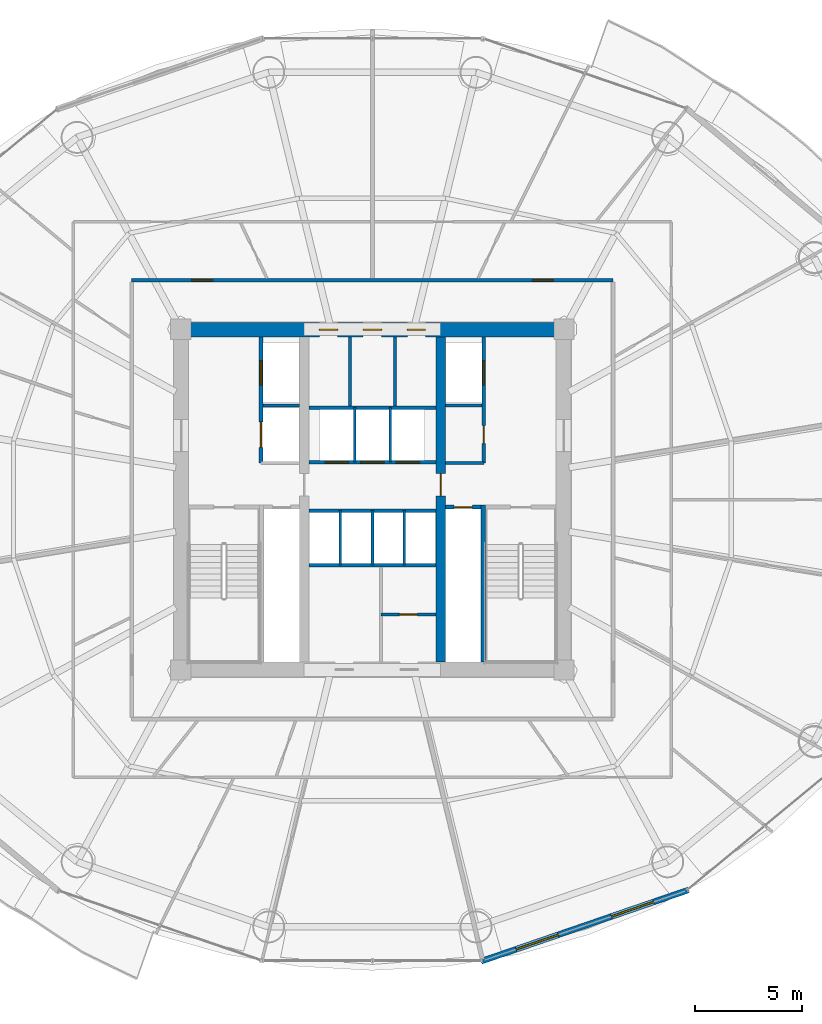
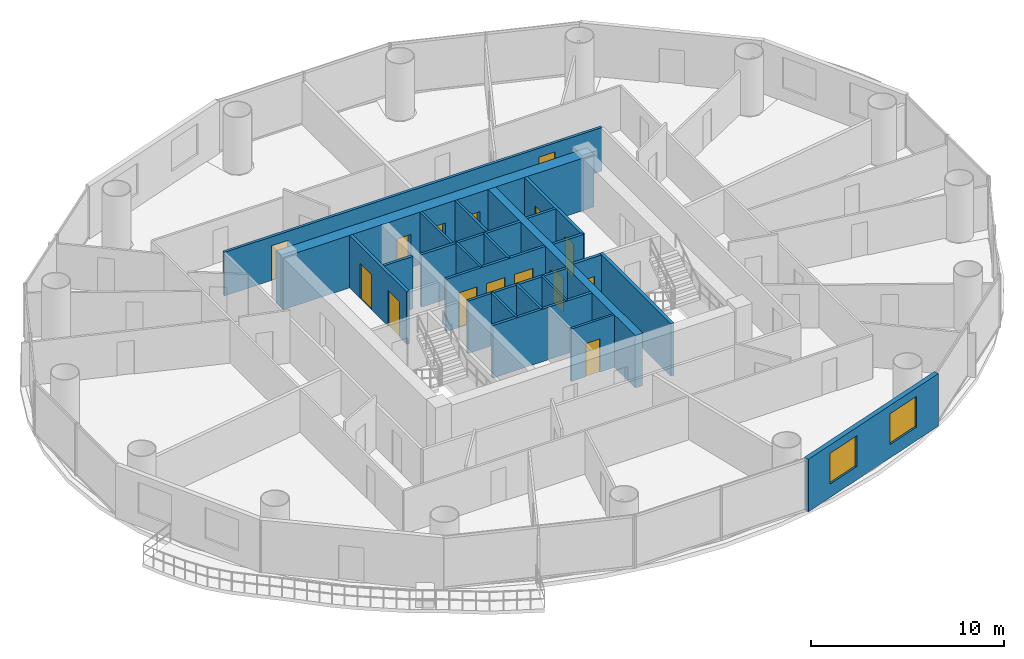
# One storey, part 23 of 29: 23 walls, 15 doors, 2 windows, 17 openings.
"""IFC4 building model written with IfcOpenShell, lengths in metres."""

import ifcopenshell
import ifcopenshell.guid

model = None  # the IFC model being written
_history = None  # IfcOwnerHistory: only IFC2X3 demands one
_inside = {}  # id of a spatial element -> (the spatial element, [elements in it])
_under = {}  # id of a project, library or spatial element -> (it, [spatial elements below it])
_declared = {}  # id of a project -> (the project, [libraries it declares])
_typed = {}  # id of a type object -> (the type object, [elements of that type])
_made_of = {}  # id of a material, layer set ... -> (it, [elements and type objects made of it])


def new_model(schema):
    """Start an empty IFC model of exactly this schema.

    Asked for "IFC4X3", IfcOpenShell would pick the latest addendum, in which some entities
    have other attributes; the version numbers below select the first issue.
    IFC2X3 requires an IfcOwnerHistory on every rooted entity: one is made here for all.
    """
    global model, _history
    if schema == "IFC4X3":
        model = ifcopenshell.file(schema_version=(4, 3, 0, 0))
    else:
        model = ifcopenshell.file(schema=schema)
    _inside.clear()
    _under.clear()
    _declared.clear()
    _typed.clear()
    _made_of.clear()
    _history = None
    if model.schema == "IFC2X3":
        org = make("IfcOrganization", Name="unknown")
        user = make(
            "IfcPersonAndOrganization",
            ThePerson=make("IfcPerson", FamilyName="unknown"),
            TheOrganization=org,
        )
        app = make(
            "IfcApplication",
            ApplicationDeveloper=org,
            Version="unknown",
            ApplicationFullName="unknown",
            ApplicationIdentifier="unknown",
        )
        _history = make(
            "IfcOwnerHistory",
            OwningUser=user,
            OwningApplication=app,
            ChangeAction="ADDED",
            CreationDate=0,
        )
    return model


def make(cls, **values):
    """One entity of the class cls with the attributes given. An attribute that is None is left unset."""
    return model.create_entity(
        cls, **{name: value for name, value in values.items() if value is not None}
    )


def rooted(cls, **values):
    """An entity with a GlobalId (a new one), such as an element, a storey or a relation."""
    return make(cls, GlobalId=ifcopenshell.guid.new(), OwnerHistory=_history, **values)


def si_unit(unit_type, name, prefix=None):
    """IfcSIUnit, for example si_unit("LENGTHUNIT", "METRE", prefix="MILLI")."""
    return make("IfcSIUnit", UnitType=unit_type, Prefix=prefix, Name=name)


def assignment(units):
    """IfcUnitAssignment: the units of a project."""
    return None if units is None else make("IfcUnitAssignment", Units=units)


def point(xyz):
    """IfcCartesianPoint."""
    return None if xyz is None else make("IfcCartesianPoint", Coordinates=xyz)


def direction(xyz):
    """IfcDirection."""
    return None if xyz is None else make("IfcDirection", DirectionRatios=xyz)


def frame(location, z_axis=None, x_axis=None):
    """IfcAxis2Placement3D, a coordinate frame: its origin and axes. An axis left out is left unset."""
    return make(
        "IfcAxis2Placement3D",
        Location=point(location),
        Axis=direction(z_axis),
        RefDirection=direction(x_axis),
    )


def frame_2d(location, x_axis=None):
    """IfcAxis2Placement2D, a coordinate frame in the plane: its origin and x axis."""
    return make(
        "IfcAxis2Placement2D", Location=point(location), RefDirection=direction(x_axis)
    )


def origin():
    """The frame at (0, 0, 0) with its axes left unset."""
    return frame((0.0, 0.0, 0.0))


def place(relative_to, where):
    """IfcLocalPlacement: puts the frame where relative to a parent placement (None: the world)."""
    return make(
        "IfcLocalPlacement", PlacementRelTo=relative_to, RelativePlacement=where
    )


def context(
    kind, dimensions, precision=None, world=None, true_north=None, identifier=None
):
    """IfcGeometricRepresentationContext, for example the 3D "Model" context."""
    return make(
        "IfcGeometricRepresentationContext",
        ContextIdentifier=identifier,
        ContextType=kind,
        CoordinateSpaceDimension=dimensions,
        Precision=precision,
        WorldCoordinateSystem=world,
        TrueNorth=true_north,
    )


def subcontext(parent, identifier, kind, view, scale=None):
    """IfcGeometricRepresentationSubContext, for example "Body" below "Model"."""
    return make(
        "IfcGeometricRepresentationSubContext",
        ContextIdentifier=identifier,
        ContextType=kind,
        ParentContext=parent,
        TargetScale=scale,
        TargetView=view,
    )


def project(units=None, contexts=None):
    """IfcProject with its units and contexts."""
    return rooted(
        "IfcProject",
        Name="project",
        RepresentationContexts=contexts,
        UnitsInContext=assignment(units),
    )


def spatial(cls, under=None, at=None, **own):
    """A site, building, storey or space (cls), placed at a placement, below another one or the project."""
    s = rooted(cls, ObjectPlacement=at, **own)
    if under is not None:
        _under.setdefault(under.id(), (under, []))[1].append(s)
    return s


def profile(cls, at=None, kind="AREA", **sizes):
    """A parametric profile (cls). Its sizes go by their IFC names, for example OverallWidth=200.0."""
    return make(cls, ProfileType=kind, Position=at, **sizes)


def rectangle(**sizes):
    """IfcRectangleProfileDef."""
    return profile("IfcRectangleProfileDef", **sizes)


def extrude(swept, where, along, depth):
    """IfcExtrudedAreaSolid: the profile swept, set in the frame where, extruded along a direction by depth."""
    return make(
        "IfcExtrudedAreaSolid",
        SweptArea=swept,
        Position=where,
        ExtrudedDirection=direction(along),
        Depth=depth,
    )


def shape(context_of_items, identifier, shape_type, items):
    """IfcShapeRepresentation: the items that make up one representation, for example the "Body"."""
    return make(
        "IfcShapeRepresentation",
        ContextOfItems=context_of_items,
        RepresentationIdentifier=identifier,
        RepresentationType=shape_type,
        Items=items,
    )


def source(mapping_origin, context_of_items, identifier, shape_type, items):
    """IfcRepresentationMap: a shape defined once, which mapped items show again and again."""
    return make(
        "IfcRepresentationMap",
        MappingOrigin=mapping_origin,
        MappedRepresentation=shape(context_of_items, identifier, shape_type, items),
    )


def transform(
    local_origin,
    x_axis=None,
    y_axis=None,
    z_axis=None,
    scale=None,
    scale2=None,
    scale3=None,
    uniform=True,
):
    """IfcCartesianTransformationOperator3D, or its non-uniform kind. x_axis, y_axis, z_axis: its Axis1, 2, 3."""
    if uniform:
        return make(
            "IfcCartesianTransformationOperator3D",
            Axis1=direction(x_axis),
            Axis2=direction(y_axis),
            LocalOrigin=point(local_origin),
            Scale=scale,
            Axis3=direction(z_axis),
        )
    return make(
        "IfcCartesianTransformationOperator3DnonUniform",
        Axis1=direction(x_axis),
        Axis2=direction(y_axis),
        LocalOrigin=point(local_origin),
        Scale=scale,
        Axis3=direction(z_axis),
        Scale2=scale2,
        Scale3=scale3,
    )


def mapped(mapping_source, mapping_target):
    """IfcMappedItem: shows the shape of a source again, moved by a transform."""
    return make(
        "IfcMappedItem", MappingSource=mapping_source, MappingTarget=mapping_target
    )


def material(Name=None, Category=None):
    """IfcMaterial."""
    return make("IfcMaterial", Name=Name, Category=Category)


def layer(
    of_material, thickness, ventilated=None, Name=None, Category=None, Priority=None
):
    """IfcMaterialLayer: one layer of a wall or slab, of a material (None: an air gap)."""
    return make(
        "IfcMaterialLayer",
        Material=of_material,
        LayerThickness=thickness,
        IsVentilated=ventilated,
        Name=Name,
        Category=Category,
        Priority=Priority,
    )


def layer_set(layers, Name=None):
    """IfcMaterialLayerSet."""
    return make("IfcMaterialLayerSet", MaterialLayers=layers, LayerSetName=Name)


def made_of(thing, what):
    """Note that an element or type object is made of a material, layer set ...; save() writes the relation."""
    if what is not None:
        _made_of.setdefault(what.id(), (what, []))[1].append(thing)
    return thing


def type_object(cls, material=None, **own):
    """A type object (cls), such as IfcWallType, which elements share."""
    return made_of(rooted(cls, **own), material)


def element(
    cls,
    number,
    at=None,
    inside=None,
    cuts=None,
    type_object=None,
    material=None,
    context=None,
    identifier="Body",
    shape_type=None,
    held_by="IfcProductDefinitionShape",
    body=None,
    shapes=None,
    **own,
):
    """One element of the class cls, such as IfcWall. Its Tag is "e" and its number.

    at: its placement. inside: the storey or other place that contains it. cuts: it is an
    opening in that element (IfcRelVoidsElement). A single representation is given by context,
    identifier, shape_type and body (its items); several are given by shapes. held_by: the class
    of the entity that holds the representations. save() writes the other relations.
    """
    e = rooted(cls, Tag="e%d" % number, ObjectPlacement=at, **own)
    if body is not None:
        shapes = [shape(context, identifier, shape_type, body)]
    if shapes is not None:
        e.Representation = make(held_by, Representations=shapes)
    if inside is not None:
        _inside.setdefault(inside.id(), (inside, []))[1].append(e)
    if cuts is not None:
        rooted(
            "IfcRelVoidsElement", RelatingBuildingElement=cuts, RelatedOpeningElement=e
        )
    if type_object is not None:
        _typed.setdefault(type_object.id(), (type_object, []))[1].append(e)
    return made_of(e, material)


def fill(opening, filler):
    """IfcRelFillsElement: the door or window that sits in an opening."""
    return rooted(
        "IfcRelFillsElement",
        RelatingOpeningElement=opening,
        RelatedBuildingElement=filler,
    )


def aggregate(whole, parts):
    """IfcRelAggregates: a whole, such as a stair, and the parts it consists of."""
    return rooted("IfcRelAggregates", RelatingObject=whole, RelatedObjects=parts)


def save(model, path):
    """Write the relations noted so far, then the file.

    IfcRelAggregates (storeys below a building ...), IfcRelContainedInSpatialStructure (elements
    in a storey), IfcRelDefinesByType, IfcRelAssociatesMaterial and IfcRelDeclares: one each for
    every whole, place, type object, material and project.
    """
    for whole, parts in _under.values():
        aggregate(whole, parts)
    for where, things in _inside.values():
        rooted(
            "IfcRelContainedInSpatialStructure",
            RelatedElements=things,
            RelatingStructure=where,
        )
    for kind, things in _typed.values():
        rooted("IfcRelDefinesByType", RelatedObjects=things, RelatingType=kind)
    for what, things in _made_of.values():
        rooted("IfcRelAssociatesMaterial", RelatedObjects=things, RelatingMaterial=what)
    for by, libraries in _declared.values():
        rooted("IfcRelDeclares", RelatingContext=by, RelatedDefinitions=libraries)
    model.write(path)


model = new_model("IFC4")

# Units and contexts
model_context = context("Model", 3, precision=1e-05, world=origin(), true_north=direction((-0.2419218956, 0.970295726276)))
body_context = subcontext(model_context, "Body", "Model", "MODEL_VIEW")
ifc_project = project(units=[si_unit("LENGTHUNIT", "METRE"), si_unit("AREAUNIT", "SQUARE_METRE"), si_unit("VOLUMEUNIT", "CUBIC_METRE"), si_unit("PLANEANGLEUNIT", "RADIAN"), si_unit("MASSUNIT", "GRAM", prefix="KILO")], contexts=[model_context])

# Site, building, storey
site_placement = place(None, origin())
site = spatial("IfcSite", under=ifc_project, at=site_placement, CompositionType="ELEMENT")
building_placement = place(site_placement, origin())
building = spatial("IfcBuilding", under=site, at=building_placement, Name="Cobrevalo Terracotta Tower", CompositionType="ELEMENT")
storey_placement = place(building_placement, frame((0.0, 0.0, 83.39990234375)))
storey = spatial("IfcBuildingStorey", under=building, at=storey_placement, Name="L21", CompositionType="ELEMENT", Elevation=83.39990234375)

# Wall, openings, doors
ifc_material_1 = material(Name="Concrete C60", Category="concrete")
ifc_layer_1 = layer(ifc_material_1, 0.699951171875)
ifc_layer_set_1 = layer_set([ifc_layer_1], Name="Concrete C60")
wall_type_1 = type_object("IfcWallType", Name="Core shear wall 700 mm Concrete C60", PredefinedType="SHEAR", material=ifc_layer_set_1)
wall_1_placement = place(storey_placement, frame((28.675048828125, 34.77490234375, 0.0), z_axis=(0.0, 0.0, 1.0), x_axis=(1.0, 0.0, 0.0)))
wall_1 = element("IfcWall", 1, at=wall_1_placement, inside=storey, type_object=wall_type_1, Name="L21 north core shear wall", PredefinedType="SHEAR", context=body_context, shape_type="SweptSolid", body=[
    extrude(rectangle(XDim=18.64990234375, YDim=0.699951171875, at=frame_2d((9.324951171875, 0.0))), origin(), (0.0, 0.0, 1.0), 3.3251953125),
])
opening_1_placement = place(wall_1_placement, frame((6.83740234375, 0.0, 0.0)))
opening_1 = element("IfcOpeningElement", 2, at=opening_1_placement, cuts=wall_1, Name="Opening ID-22", PredefinedType="OPENING", context=body_context, shape_type="SweptSolid", body=[
    extrude(rectangle(XDim=0.85009765625, YDim=2.10009765625, at=frame_2d((0.425048828125, 1.050048828125))), frame((0.0, 0.35986328125, 0.0), z_axis=(0.0, -1.0, 0.0), x_axis=(1.0, 0.0, 0.0)), (0.0, 0.0, 1.0), 0.719970703125),
])
opening_2_placement = place(wall_1_placement, frame((8.89501953125, 0.0, 0.0)))
opening_2 = element("IfcOpeningElement", 3, at=opening_2_placement, cuts=wall_1, Name="Opening ID-07", PredefinedType="OPENING", context=body_context, shape_type="SweptSolid", body=[
    extrude(rectangle(XDim=0.860107421875, YDim=2.10009765625, at=frame_2d((0.43017578125, 1.050048828125))), frame((0.0, 0.35986328125, 0.0), z_axis=(0.0, -1.0, 0.0), x_axis=(1.0, 0.0, 0.0)), (0.0, 0.0, 1.0), 0.719970703125),
])
opening_3_placement = place(wall_1_placement, frame((10.96240234375, 0.0, 0.0)))
opening_3 = element("IfcOpeningElement", 4, at=opening_3_placement, cuts=wall_1, Name="Opening ID-22", PredefinedType="OPENING", context=body_context, shape_type="SweptSolid", body=[
    extrude(rectangle(XDim=0.85009765625, YDim=2.10009765625, at=frame_2d((0.425048828125, 1.050048828125))), frame((0.0, 0.35986328125, 0.0), z_axis=(0.0, -1.0, 0.0), x_axis=(1.0, 0.0, 0.0)), (0.0, 0.0, 1.0), 0.719970703125),
])
ifc_material_2 = material(Name="Powder-coated steel", Category="steel")
door_type_1 = type_object("IfcDoorType", Name="Riser shaft & meter closet fire access door 850x2100 EI 60", OperationType="NOTDEFINED", PredefinedType="DOOR", material=ifc_material_2)
shared_shape_1 = source(origin(), body_context, "Body", "SweptSolid", [
    extrude(rectangle(XDim=0.85009765625, YDim=2.10009765625, at=frame_2d((0.425048828125, 1.050048828125))), frame((0.0, 0.02490234375, 0.0), z_axis=(0.0, -1.0, 0.0), x_axis=(1.0, 0.0, 0.0)), (0.0, 0.0, 1.0), 0.050048828125),
])
door_1_placement = place(opening_1_placement, frame((0.85009765625, 0.0, 0.0), z_axis=(0.0, 0.0, 1.0), x_axis=(-1.0, 0.0, 0.0)))
door_1 = element("IfcDoor", 5, at=door_1_placement, inside=storey, type_object=door_type_1, Name="L21 core north service door Housekeeping Linen Store", OperationType="SINGLE_SWING_LEFT", OverallHeight=2.10009765625, OverallWidth=0.85009765625, PredefinedType="DOOR", context=body_context, shape_type="MappedRepresentation", body=[
    mapped(shared_shape_1, transform((0.0, 0.0, 0.0), scale=1.0)),
])
fill(opening_1, door_1)
door_2_placement = place(opening_3_placement, frame((0.85009765625, 0.0, 0.0), z_axis=(0.0, 0.0, 1.0), x_axis=(-1.0, 0.0, 0.0)))
door_2 = element("IfcDoor", 6, at=door_2_placement, inside=storey, type_object=door_type_1, Name="L21 core north service door Floor BMS Mechanical Plant", OperationType="SINGLE_SWING_LEFT", OverallHeight=2.10009765625, OverallWidth=0.85009765625, PredefinedType="DOOR", context=body_context, shape_type="MappedRepresentation", body=[
    mapped(shared_shape_1, transform((0.0, 0.0, 0.0), scale=1.0)),
])
fill(opening_3, door_2)
ifc_material_3 = material(Name="Fire-rated moisture-sealed timber", Category="wood")
door_type_2 = type_object("IfcDoorType", Name="Core & podium fire-rated accessible WC door 860x2100 EI 60", OperationType="NOTDEFINED", PredefinedType="DOOR", material=ifc_material_3)
shared_shape_2 = source(origin(), body_context, "Body", "SweptSolid", [
    extrude(rectangle(XDim=0.860107421875, YDim=2.10009765625, at=frame_2d((0.43017578125, 1.050048828125))), frame((0.0, 0.02490234375, 0.0), z_axis=(0.0, -1.0, 0.0), x_axis=(1.0, 0.0, 0.0)), (0.0, 0.0, 1.0), 0.050048828125),
])
door_3_placement = place(opening_2_placement, frame((0.860107421875, 0.0, 0.0), z_axis=(0.0, 0.0, 1.0), x_axis=(-1.0, 0.0, 0.0)))
door_3 = element("IfcDoor", 7, at=door_3_placement, inside=storey, type_object=door_type_2, Name="L21 core north service door Floor Service Toilet WC", OperationType="SINGLE_SWING_RIGHT", OverallHeight=2.10009765625, OverallWidth=0.860107421875, PredefinedType="DOOR", context=body_context, shape_type="MappedRepresentation", body=[
    mapped(shared_shape_2, transform((0.0, 0.0, 0.0), scale=1.0)),
])
fill(opening_2, door_3)

# Walls
ifc_material_4 = material(Name="Gypsum board on steel stud", Category="steel")
ifc_layer_2 = layer(ifc_material_4, 0.159912109375)
ifc_layer_set_2 = layer_set([ifc_layer_2], Name="Gypsum board on steel stud")
wall_type_2 = type_object("IfcWallType", Name="Fire-rated corridor acoustic partition wall 160 mm", PredefinedType="PARTITIONING", material=ifc_layer_set_2)
for number, where, z_axis, x_axis, name in (
    (8, (32.860107421875, 31.219970703125, 0.0), (0.0, 0.0, 1.0), (1.0, 0.0, 0.0), "L21 interior partition IW-L21-FF1-M"),
    (9, (41.425048828125, 31.219970703125, 0.0), (0.0, 0.0, 1.0), (1.0, 0.0, 0.0), "L21 interior partition IW-L21-FF2-M"),
):
    element("IfcWall", number, at=place(storey_placement, frame(where, z_axis=z_axis, x_axis=x_axis)), inside=storey, type_object=wall_type_2, Name=name, PredefinedType="PARTITIONING", context=body_context, shape_type="SweptSolid", body=[
        extrude(rectangle(XDim=1.71484375, YDim=0.159912109375, at=frame_2d((0.857421875, 0.0))), origin(), (0.0, 0.0, 1.0), 3.3251953125),
    ])
wall_2_placement = place(storey_placement, frame((41.425048828125, 28.52001953125, 0.0), z_axis=(0.0, 0.0, 1.0), x_axis=(1.0, 0.0, 0.0)))
element("IfcWall", 10, at=wall_2_placement, inside=storey, type_object=wall_type_2, Name="L21 interior partition IW-L21-FF2-S", PredefinedType="PARTITIONING", context=body_context, shape_type="SweptSolid", body=[
    extrude(rectangle(XDim=1.804931640625, YDim=0.159912109375, at=frame_2d((0.90234375, 0.0))), origin(), (0.0, 0.0, 1.0), 3.3251953125),
])

# Wall, openings, doors
wall_3_placement = place(storey_placement, frame((35.02490234375, 28.56005859375, 0.0), z_axis=(0.0, 0.0, 1.0), x_axis=(1.0, 0.0, 0.0)))
wall_3 = element("IfcWall", 11, at=wall_3_placement, inside=storey, type_object=wall_type_2, Name="L21 interior partition IW-L21-LB-S", PredefinedType="PARTITIONING", context=body_context, shape_type="SweptSolid", body=[
    extrude(rectangle(XDim=5.9501953125, YDim=0.159912109375, at=frame_2d((2.97509765625, 0.0))), origin(), (0.0, 0.0, 1.0), 3.3251953125),
])
opening_4_placement = place(wall_3_placement, frame((0.760009765625, 0.0, 0.0)))
opening_4 = element("IfcOpeningElement", 12, at=opening_4_placement, cuts=wall_3, Name="Opening LD-01", PredefinedType="OPENING", context=body_context, shape_type="SweptSolid", body=[
    extrude(rectangle(XDim=1.10009765625, YDim=2.199951171875, at=frame_2d((0.550048828125, 1.10009765625))), frame((0.0, 0.08984375, 0.0), z_axis=(0.0, -1.0, 0.0), x_axis=(1.0, 0.0, 0.0)), (0.0, 0.0, 1.0), 0.179931640625),
])
opening_5_placement = place(wall_3_placement, frame((2.425048828125, 0.0, 0.0)))
opening_5 = element("IfcOpeningElement", 13, at=opening_5_placement, cuts=wall_3, Name="Opening LD-01", PredefinedType="OPENING", context=body_context, shape_type="SweptSolid", body=[
    extrude(rectangle(XDim=1.10009765625, YDim=2.199951171875, at=frame_2d((0.550048828125, 1.10009765625))), frame((0.0, 0.08984375, 0.0), z_axis=(0.0, -1.0, 0.0), x_axis=(1.0, 0.0, 0.0)), (0.0, 0.0, 1.0), 0.179931640625),
])
opening_6_placement = place(wall_3_placement, frame((4.090087890625, 0.0, 0.0)))
opening_6 = element("IfcOpeningElement", 14, at=opening_6_placement, cuts=wall_3, Name="Opening LD-01", PredefinedType="OPENING", context=body_context, shape_type="SweptSolid", body=[
    extrude(rectangle(XDim=1.10009765625, YDim=2.199951171875, at=frame_2d((0.550048828125, 1.10009765625))), frame((0.0, 0.08984375, 0.0), z_axis=(0.0, -1.0, 0.0), x_axis=(1.0, 0.0, 0.0)), (0.0, 0.0, 1.0), 0.179931640625),
])
ifc_material_5 = material(Name="Brushed stainless steel", Category="steel")
door_type_3 = type_object("IfcDoorType", Name="Passenger lift landing bi-parting sliding door 1100x2200 EI 90", OperationType="DOUBLE_DOOR_SLIDING", PredefinedType="DOOR", material=ifc_material_5)
shared_shape_3 = source(origin(), body_context, "Body", "SweptSolid", [
    extrude(rectangle(XDim=1.10009765625, YDim=2.199951171875, at=frame_2d((0.550048828125, 1.10009765625))), frame((0.0, 0.02490234375, 0.0), z_axis=(0.0, -1.0, 0.0), x_axis=(1.0, 0.0, 0.0)), (0.0, 0.0, 1.0), 0.050048828125),
])
door_4_placement = place(opening_4_placement, origin())
door_4 = element("IfcDoor", 15, at=door_4_placement, inside=storey, type_object=door_type_3, Name="L21 lift landing door PL-L1", OperationType="DOUBLE_DOOR_SLIDING", OverallHeight=2.199951171875, OverallWidth=1.10009765625, PredefinedType="DOOR", context=body_context, shape_type="MappedRepresentation", body=[
    mapped(shared_shape_3, transform((0.0, 0.0, 0.0), scale=1.0)),
])
fill(opening_4, door_4)
door_5_placement = place(opening_5_placement, origin())
door_5 = element("IfcDoor", 16, at=door_5_placement, inside=storey, type_object=door_type_3, Name="L21 lift landing door PL-L2", OperationType="DOUBLE_DOOR_SLIDING", OverallHeight=2.199951171875, OverallWidth=1.10009765625, PredefinedType="DOOR", context=body_context, shape_type="MappedRepresentation", body=[
    mapped(shared_shape_3, transform((0.0, 0.0, 0.0), scale=1.0)),
])
fill(opening_5, door_5)
door_6_placement = place(opening_6_placement, origin())
door_6 = element("IfcDoor", 17, at=door_6_placement, inside=storey, type_object=door_type_3, Name="L21 lift landing door PL-L3", OperationType="DOUBLE_DOOR_SLIDING", OverallHeight=2.199951171875, OverallWidth=1.10009765625, PredefinedType="DOOR", context=body_context, shape_type="MappedRepresentation", body=[
    mapped(shared_shape_3, transform((0.0, 0.0, 0.0), scale=1.0)),
])
fill(opening_6, door_6)

# Walls
for number, where, z_axis, x_axis, name in (
    (18, (35.02490234375, 31.1201171875, 0.0), (0.0, 0.0, 1.0), (1.0, 0.0, 0.0), "L21 interior partition IW-L21-LB-N"),
    (19, (35.02490234375, 26.280029296875, 0.0), (0.0, 0.0, 1.0), (1.0, 0.0, 0.0), "L21 interior partition IW-L21-MB-N"),
    (20, (35.02490234375, 23.719970703125, 0.0), (0.0, 0.0, 1.0), (1.0, 0.0, 0.0), "L21 interior partition IW-L21-MB-S"),
):
    element("IfcWall", number, at=place(storey_placement, frame(where, z_axis=z_axis, x_axis=x_axis)), inside=storey, type_object=wall_type_2, Name=name, PredefinedType="PARTITIONING", context=body_context, shape_type="SweptSolid", body=[
        extrude(rectangle(XDim=5.9501953125, YDim=0.159912109375, at=frame_2d((2.97509765625, 0.0))), origin(), (0.0, 0.0, 1.0), 3.3251953125),
    ])

# Wall, openings, doors
wall_4_placement = place(storey_placement, frame((26.695068359375, 37.10498046875, 0.0), z_axis=(0.0, 0.0, 1.0), x_axis=(1.0, 0.0, 0.0)))
wall_4 = element("IfcWall", 21, at=wall_4_placement, inside=storey, type_object=wall_type_2, Name="L21 interior partition IW-L21-COR-N", PredefinedType="PARTITIONING", context=body_context, shape_type="SweptSolid", body=[
    extrude(rectangle(XDim=22.60986328125, YDim=0.159912109375, at=frame_2d((11.304931640625, 0.0))), origin(), (0.0, 0.0, 1.0), 2.76708984375),
])
opening_7_placement = place(wall_4_placement, frame((18.8115234375, 0.0, 0.0)))
opening_7 = element("IfcOpeningElement", 22, at=opening_7_placement, cuts=wall_4, Name="Opening ID-05", PredefinedType="OPENING", context=body_context, shape_type="SweptSolid", body=[
    extrude(rectangle(XDim=0.97998046875, YDim=2.199951171875, at=frame_2d((0.489990234375, 1.10009765625))), frame((0.0, 0.08984375, 0.0), z_axis=(0.0, -1.0, 0.0), x_axis=(1.0, 0.0, 0.0)), (0.0, 0.0, 1.0), 0.179931640625),
])
opening_8_placement = place(wall_4_placement, frame((2.8232421875, 0.0, 0.0)))
opening_8 = element("IfcOpeningElement", 23, at=opening_8_placement, cuts=wall_4, Name="Opening ID-05", PredefinedType="OPENING", context=body_context, shape_type="SweptSolid", body=[
    extrude(rectangle(XDim=0.97998046875, YDim=2.199951171875, at=frame_2d((0.489990234375, 1.10009765625))), frame((0.0, 0.08984375, 0.0), z_axis=(0.0, -1.0, 0.0), x_axis=(1.0, 0.0, 0.0)), (0.0, 0.0, 1.0), 0.179931640625),
])
ifc_material_6 = material(Name="Solid hardwood timber", Category="wood")
door_type_4 = type_object("IfcDoorType", Name="Residence entrance fire-rated acoustic timber door 980x2200 EI 60", OperationType="NOTDEFINED", PredefinedType="DOOR", material=ifc_material_6)
shared_shape_4 = source(origin(), body_context, "Body", "SweptSolid", [
    extrude(rectangle(XDim=0.97998046875, YDim=2.199951171875, at=frame_2d((0.489990234375, 1.10009765625))), frame((0.0, 0.02490234375, 0.0), z_axis=(0.0, -1.0, 0.0), x_axis=(1.0, 0.0, 0.0)), (0.0, 0.0, 1.0), 0.050048828125),
])
door_7_placement = place(opening_7_placement, frame((0.97998046875, 0.0, 0.0), z_axis=(0.0, 0.0, 1.0), x_axis=(-1.0, 0.0, 0.0)))
door_7 = element("IfcDoor", 24, at=door_7_placement, inside=storey, type_object=door_type_4, Name="Flat L21A fire-rated apartment entrance door", OperationType="SINGLE_SWING_RIGHT", OverallHeight=2.199951171875, OverallWidth=0.97998046875, PredefinedType="DOOR", context=body_context, shape_type="MappedRepresentation", body=[
    mapped(shared_shape_4, transform((0.0, 0.0, 0.0), scale=1.0)),
])
fill(opening_7, door_7)
door_8_placement = place(opening_8_placement, frame((0.97998046875, 0.0, 0.0), z_axis=(0.0, 0.0, 1.0), x_axis=(-1.0, 0.0, 0.0)))
door_8 = element("IfcDoor", 25, at=door_8_placement, inside=storey, type_object=door_type_4, Name="Flat L21B fire-rated apartment entrance door", OperationType="SINGLE_SWING_LEFT", OverallHeight=2.199951171875, OverallWidth=0.97998046875, PredefinedType="DOOR", context=body_context, shape_type="MappedRepresentation", body=[
    mapped(shared_shape_4, transform((0.0, 0.0, 0.0), scale=1.0)),
])
fill(opening_8, door_8)

# Wall, opening, door
ifc_layer_3 = layer(ifc_material_4, 0.179931640625)
ifc_layer_set_3 = layer_set([ifc_layer_3], Name="Gypsum board on steel stud")
wall_type_3 = type_object("IfcWallType", Name="Fire-rated shaft & lobby acoustic partition wall 180 mm", PredefinedType="PARTITIONING", material=ifc_layer_set_3)
wall_5_placement = place(storey_placement, frame((41.425048828125, 26.449951171875, 0.0), z_axis=(0.0, 0.0, 1.0), x_axis=(1.0, 0.0, 0.0)))
wall_5 = element("IfcWall", 26, at=wall_5_placement, inside=storey, type_object=wall_type_3, Name="L21 interior partition IW-L21-RSE-N", PredefinedType="PARTITIONING", context=body_context, shape_type="SweptSolid", body=[
    extrude(rectangle(XDim=1.675048828125, YDim=0.179931640625, at=frame_2d((0.83740234375, 0.0))), origin(), (0.0, 0.0, 1.0), 3.3251953125),
])
opening_9_placement = place(wall_5_placement, frame((0.41259765625, 0.0, 0.0)))
opening_9 = element("IfcOpeningElement", 27, at=opening_9_placement, cuts=wall_5, Name="Opening ID-22", PredefinedType="OPENING", context=body_context, shape_type="SweptSolid", body=[
    extrude(rectangle(XDim=0.85009765625, YDim=2.10009765625, at=frame_2d((0.425048828125, 1.050048828125))), frame((0.0, 0.10009765625, 0.0), z_axis=(0.0, -1.0, 0.0), x_axis=(1.0, 0.0, 0.0)), (0.0, 0.0, 1.0), 0.199951171875),
])
door_9_placement = place(opening_9_placement, origin())
door_9 = element("IfcDoor", 28, at=door_9_placement, inside=storey, type_object=door_type_1, Name="L21 riser access door RSE", OperationType="SINGLE_SWING_RIGHT", OverallHeight=2.10009765625, OverallWidth=0.85009765625, PredefinedType="DOOR", context=body_context, shape_type="MappedRepresentation", body=[
    mapped(shared_shape_1, transform((0.0, 0.0, 0.0), scale=1.0)),
])
fill(opening_9, door_9)

# Wall, openings, doors
wall_6_placement = place(storey_placement, frame((32.77001953125, 28.52001953125, 0.0), z_axis=(0.0, 0.0, 1.0), x_axis=(0.0, 1.0, 0.0)))
wall_6 = element("IfcWall", 29, at=wall_6_placement, inside=storey, type_object=wall_type_3, Name="L21 interior partition IW-L21-FF1-W", PredefinedType="PARTITIONING", context=body_context, shape_type="SweptSolid", body=[
    extrude(rectangle(XDim=5.905029296875, YDim=0.179931640625, at=frame_2d((2.95263671875, 0.0))), origin(), (0.0, 0.0, 1.0), 3.3251953125),
])
opening_10_placement = place(wall_6_placement, frame((3.655029296875, 0.0, 0.0)))
opening_10 = element("IfcOpeningElement", 30, at=opening_10_placement, cuts=wall_6, Name="Opening LD-02", PredefinedType="OPENING", context=body_context, shape_type="SweptSolid", body=[
    extrude(rectangle(XDim=1.14990234375, YDim=2.199951171875, at=frame_2d((0.574951171875, 1.10009765625))), frame((0.0, 0.10009765625, 0.0), z_axis=(0.0, -1.0, 0.0), x_axis=(1.0, 0.0, 0.0)), (0.0, 0.0, 1.0), 0.199951171875),
])
opening_11_placement = place(wall_6_placement, frame((0.72998046875, 0.0, 0.0)))
opening_11 = element("IfcOpeningElement", 31, at=opening_11_placement, cuts=wall_6, Name="Opening LD-03", PredefinedType="OPENING", context=body_context, shape_type="SweptSolid", body=[
    extrude(rectangle(XDim=1.199951171875, YDim=2.25, at=frame_2d((0.60009765625, 1.125))), frame((0.0, 0.10009765625, 0.0), z_axis=(0.0, -1.0, 0.0), x_axis=(1.0, 0.0, 0.0)), (0.0, 0.0, 1.0), 0.199951171875),
])
door_type_5 = type_object("IfcDoorType", Name="Firefighting lift landing bi-parting sliding door 1150x2200 EI 120", OperationType="DOUBLE_DOOR_SLIDING", PredefinedType="DOOR", material=ifc_material_5)
shared_shape_5 = source(origin(), body_context, "Body", "SweptSolid", [
    extrude(rectangle(XDim=1.14990234375, YDim=2.199951171875, at=frame_2d((0.574951171875, 1.10009765625))), frame((0.0, 0.02490234375, 0.0), z_axis=(0.0, -1.0, 0.0), x_axis=(1.0, 0.0, 0.0)), (0.0, 0.0, 1.0), 0.050048828125),
])
door_10_placement = place(opening_10_placement, origin())
door_10 = element("IfcDoor", 32, at=door_10_placement, inside=storey, type_object=door_type_5, Name="L21 lift landing door FF-1", OperationType="DOUBLE_DOOR_SLIDING", OverallHeight=2.199951171875, OverallWidth=1.14990234375, PredefinedType="DOOR", context=body_context, shape_type="MappedRepresentation", body=[
    mapped(shared_shape_5, transform((0.0, 0.0, 0.0), scale=1.0)),
])
fill(opening_10, door_10)
door_type_6 = type_object("IfcDoorType", Name="Service lift landing bi-parting sliding door 1200x2250 EI 120", OperationType="DOUBLE_DOOR_SLIDING", PredefinedType="DOOR", material=ifc_material_5)
shared_shape_6 = source(origin(), body_context, "Body", "SweptSolid", [
    extrude(rectangle(XDim=1.199951171875, YDim=2.25, at=frame_2d((0.60009765625, 1.125))), frame((0.0, 0.02490234375, 0.0), z_axis=(0.0, -1.0, 0.0), x_axis=(1.0, 0.0, 0.0)), (0.0, 0.0, 1.0), 0.050048828125),
])
door_11_placement = place(opening_11_placement, origin())
door_11 = element("IfcDoor", 33, at=door_11_placement, inside=storey, type_object=door_type_6, Name="L21 lift landing door SV-1", OperationType="DOUBLE_DOOR_SLIDING", OverallHeight=2.25, OverallWidth=1.199951171875, PredefinedType="DOOR", context=body_context, shape_type="MappedRepresentation", body=[
    mapped(shared_shape_6, transform((0.0, 0.0, 0.0), scale=1.0)),
])
fill(opening_11, door_11)

wall_7_placement = place(storey_placement, frame((43.22998046875, 28.52001953125, 0.0), z_axis=(0.0, 0.0, 1.0), x_axis=(0.0, 1.0, 0.0)))
wall_7 = element("IfcWall", 34, at=wall_7_placement, inside=storey, type_object=wall_type_3, Name="L21 interior partition IW-L21-FF2-E", PredefinedType="PARTITIONING", context=body_context, shape_type="SweptSolid", body=[
    extrude(rectangle(XDim=5.905029296875, YDim=0.179931640625, at=frame_2d((2.95263671875, 0.0))), origin(), (0.0, 0.0, 1.0), 3.3251953125),
])
opening_12_placement = place(wall_7_placement, frame((0.905029296875, 0.0, 0.0)))
opening_12 = element("IfcOpeningElement", 35, at=opening_12_placement, cuts=wall_7, Name="Opening ID-22", PredefinedType="OPENING", context=body_context, shape_type="SweptSolid", body=[
    extrude(rectangle(XDim=0.85009765625, YDim=2.10009765625, at=frame_2d((0.425048828125, 1.050048828125))), frame((0.0, 0.10009765625, 0.0), z_axis=(0.0, -1.0, 0.0), x_axis=(1.0, 0.0, 0.0)), (0.0, 0.0, 1.0), 0.199951171875),
])
opening_13_placement = place(wall_7_placement, frame((3.655029296875, 0.0, 0.0)))
opening_13 = element("IfcOpeningElement", 36, at=opening_13_placement, cuts=wall_7, Name="Opening LD-02", PredefinedType="OPENING", context=body_context, shape_type="SweptSolid", body=[
    extrude(rectangle(XDim=1.14990234375, YDim=2.199951171875, at=frame_2d((0.574951171875, 1.10009765625))), frame((0.0, 0.10009765625, 0.0), z_axis=(0.0, -1.0, 0.0), x_axis=(1.0, 0.0, 0.0)), (0.0, 0.0, 1.0), 0.199951171875),
])
door_12_placement = place(opening_12_placement, frame((0.85009765625, 0.0, 0.0), z_axis=(0.0, 0.0, 1.0), x_axis=(-1.0, 0.0, 0.0)))
door_12 = element("IfcDoor", 37, at=door_12_placement, inside=storey, type_object=door_type_1, Name="L21 housekeeping store door", OperationType="SINGLE_SWING_RIGHT", OverallHeight=2.10009765625, OverallWidth=0.85009765625, PredefinedType="DOOR", context=body_context, shape_type="MappedRepresentation", body=[
    mapped(shared_shape_1, transform((0.0, 0.0, 0.0), scale=1.0)),
])
fill(opening_12, door_12)
door_13_placement = place(opening_13_placement, origin())
door_13 = element("IfcDoor", 38, at=door_13_placement, inside=storey, type_object=door_type_5, Name="L21 lift landing door FF-2", OperationType="DOUBLE_DOOR_SLIDING", OverallHeight=2.199951171875, OverallWidth=1.14990234375, PredefinedType="DOOR", context=body_context, shape_type="MappedRepresentation", body=[
    mapped(shared_shape_5, transform((0.0, 0.0, 0.0), scale=1.0)),
])
fill(opening_13, door_13)

# Walls
ifc_material_7 = material(Name="Autoclaved aerated concrete block", Category="concrete")
ifc_layer_4 = layer(ifc_material_7, 0.1201171875)
ifc_layer_set_4 = layer_set([ifc_layer_4], Name="Autoclaved aerated concrete block")
wall_type_4 = type_object("IfcWallType", Name="Fire-rated wet-room & core service partition 120 mm", PredefinedType="PARTITIONING", material=ifc_layer_set_4)
for number, where, z_axis, x_axis, name in (
    (39, (37.169921875, 28.56005859375, 0.0), (0.0, 0.0, 1.0), (0.0, 1.0, 0.0), "L21 interior partition IW-L21-LB-D1"),
    (40, (38.830078125, 28.56005859375, 0.0), (0.0, 0.0, 1.0), (0.0, 1.0, 0.0), "L21 interior partition IW-L21-LB-D2"),
    (41, (36.5, 23.719970703125, 0.0), (0.0, 0.0, 1.0), (0.0, 1.0, 0.0), "L21 interior partition IW-L21-MB-D1"),
    (42, (39.5, 23.719970703125, 0.0), (0.0, 0.0, 1.0), (0.0, 1.0, 0.0), "L21 interior partition IW-L21-MB-D3"),
):
    element("IfcWall", number, at=place(storey_placement, frame(where, z_axis=z_axis, x_axis=x_axis)), inside=storey, type_object=wall_type_4, Name=name, PredefinedType="PARTITIONING", context=body_context, shape_type="SweptSolid", body=[
        extrude(rectangle(XDim=2.56005859375, YDim=0.1201171875, at=frame_2d((1.280029296875, 0.0))), origin(), (0.0, 0.0, 1.0), 3.3251953125),
    ])

# Wall, openings, windows
ifc_layer_5 = layer(ifc_material_7, 0.280029296875)
ifc_layer_set_5 = layer_set([ifc_layer_5], Name="Autoclaved aerated concrete block")
wall_type_5 = type_object("IfcWallType", Name="Insulated tower spandrel & pier wall 280 mm with terracotta rainscreen", PredefinedType="SOLIDWALL", material=ifc_layer_set_5)
wall_8_placement = place(storey_placement, frame((43.10791015625, 5.1279296875, 0.0), z_axis=(0.0, 0.0, 1.0), x_axis=(0.945590132341, 0.325360264351, 0.0)))
wall_8 = element("IfcWall", 43, at=wall_8_placement, inside=storey, type_object=wall_type_5, Name="L21 terracotta rainscreen pier wall S13", PredefinedType="SOLIDWALL", context=body_context, shape_type="SweptSolid", body=[
    extrude(rectangle(XDim=10.2890625, YDim=0.280029296875, at=frame_2d((5.14453125, 0.0))), origin(), (0.0, 0.0, 1.0), 3.3251953125),
])
opening_14_placement = place(wall_8_placement, frame((1.72802734375, 0.0, 0.85009765625)))
opening_14 = element("IfcOpeningElement", 44, at=opening_14_placement, cuts=wall_8, Name="Opening WN-10", PredefinedType="OPENING", context=body_context, shape_type="SweptSolid", body=[
    extrude(rectangle(XDim=2.10009765625, YDim=1.949951171875, at=frame_2d((1.050048828125, 0.97509765625))), frame((0.0, 0.14990234375, 0.0), z_axis=(0.0, -1.0, 0.0), x_axis=(1.0, 0.0, 0.0)), (0.0, 0.0, 1.0), 0.300048828125),
])
opening_15_placement = place(wall_8_placement, frame((6.4609375, 0.0, 0.85009765625)))
opening_15 = element("IfcOpeningElement", 45, at=opening_15_placement, cuts=wall_8, Name="Opening WN-10", PredefinedType="OPENING", context=body_context, shape_type="SweptSolid", body=[
    extrude(rectangle(XDim=2.10009765625, YDim=1.949951171875, at=frame_2d((1.050048828125, 0.97509765625))), frame((0.0, 0.14990234375, 0.0), z_axis=(0.0, -1.0, 0.0), x_axis=(1.0, 0.0, 0.0)), (0.0, 0.0, 1.0), 0.300048828125),
])
ifc_material_8 = material(Name="Solar-control low-E double glazing", Category="glass")
window_type = type_object("IfcWindowType", Name="Wide panoramic low-E aluminium window 2100x1950", PartitioningType="SINGLE_PANEL", PredefinedType="WINDOW", material=ifc_material_8)
shared_shape_7 = source(origin(), body_context, "Body", "SweptSolid", [
    extrude(rectangle(XDim=2.10009765625, YDim=1.949951171875, at=frame_2d((1.050048828125, 0.97509765625))), frame((0.0, 0.030029296875, 0.0), z_axis=(0.0, -1.0, 0.0), x_axis=(1.0, 0.0, 0.0)), (0.0, 0.0, 1.0), 0.06005859375),
])
window_1_placement = place(opening_14_placement, origin())
window_1 = element("IfcWindow", 46, at=window_1_placement, inside=storey, type_object=window_type, Name="L21 suite window S13A", OverallHeight=1.949951171875, OverallWidth=2.10009765625, PartitioningType="SINGLE_PANEL", PredefinedType="WINDOW", context=body_context, shape_type="MappedRepresentation", body=[
    mapped(shared_shape_7, transform((0.0, 0.0, 0.0), scale=1.0)),
])
fill(opening_14, window_1)
window_2_placement = place(opening_15_placement, origin())
window_2 = element("IfcWindow", 47, at=window_2_placement, inside=storey, type_object=window_type, Name="L21 suite window S13B", OverallHeight=1.949951171875, OverallWidth=2.10009765625, PartitioningType="SINGLE_PANEL", PredefinedType="WINDOW", context=body_context, shape_type="MappedRepresentation", body=[
    mapped(shared_shape_7, transform((0.0, 0.0, 0.0), scale=1.0)),
])
fill(opening_15, window_2)

# Wall, opening, door
ifc_material_9 = material(Name="Concrete C55", Category="concrete")
ifc_layer_6 = layer(ifc_material_9, 0.449951171875)
ifc_layer_set_6 = layer_set([ifc_layer_6], Name="Concrete C55")
wall_type_6 = type_object("IfcWallType", Name="Internal core shear web wall 450 mm Concrete C55", PredefinedType="SHEAR", material=ifc_layer_set_6)
wall_9_placement = place(storey_placement, frame((41.199951171875, 19.175048828125, 0.0), z_axis=(0.0, 0.0, 1.0), x_axis=(0.0, 1.0, 0.0)))
wall_9 = element("IfcWall", 48, at=wall_9_placement, inside=storey, type_object=wall_type_6, Name="L21 internal core shear wall WEB-E", PredefinedType="SHEAR", context=body_context, shape_type="SweptSolid", body=[
    extrude(rectangle(XDim=15.25, YDim=0.449951171875, at=frame_2d((7.625, 0.0))), origin(), (0.0, 0.0, 1.0), 3.3251953125),
])
opening_16_placement = place(wall_9_placement, frame((7.800048828125, 0.0, 0.0)))
opening_16 = element("IfcOpeningElement", 49, at=opening_16_placement, cuts=wall_9, Name="Opening ID-11", PredefinedType="OPENING", context=body_context, shape_type="SweptSolid", body=[
    extrude(rectangle(XDim=1.050048828125, YDim=2.14990234375, at=frame_2d((0.52490234375, 1.074951171875))), frame((0.0, 0.23486328125, 0.0), z_axis=(0.0, -1.0, 0.0), x_axis=(1.0, 0.0, 0.0)), (0.0, 0.0, 1.0), 0.469970703125),
])
ifc_material_10 = material(Name="Galvanized fire-rated steel", Category="steel")
door_type_7 = type_object("IfcDoorType", Name="Core concourse cross fire door 1050x2150 EI 90", OperationType="NOTDEFINED", PredefinedType="DOOR", material=ifc_material_10)
shared_shape_8 = source(origin(), body_context, "Body", "SweptSolid", [
    extrude(rectangle(XDim=1.050048828125, YDim=2.14990234375, at=frame_2d((0.52490234375, 1.074951171875))), frame((0.0, 0.02490234375, 0.0), z_axis=(0.0, -1.0, 0.0), x_axis=(1.0, 0.0, 0.0)), (0.0, 0.0, 1.0), 0.050048828125),
])
door_14_placement = place(opening_16_placement, frame((1.050048828125, 0.0, 0.0), z_axis=(0.0, 0.0, 1.0), x_axis=(-1.0, 0.0, 0.0)))
door_14 = element("IfcDoor", 50, at=door_14_placement, inside=storey, type_object=door_type_7, Name="L21 east core concourse cross door", OperationType="SINGLE_SWING_RIGHT", OverallHeight=2.14990234375, OverallWidth=1.050048828125, PredefinedType="DOOR", context=body_context, shape_type="MappedRepresentation", body=[
    mapped(shared_shape_8, transform((0.0, 0.0, 0.0), scale=1.0)),
])
fill(opening_16, door_14)

# Walls
ifc_layer_7 = layer(ifc_material_7, 0.139892578125)
ifc_layer_set_7 = layer_set([ifc_layer_7], Name="Autoclaved aerated concrete block")
wall_type_7 = type_object("IfcWallType", Name="Moisture-resistant wet-room & core service partition 140 mm", PredefinedType="PARTITIONING", material=ifc_layer_set_7)
for number, where, z_axis, x_axis, name in (
    (51, (36.949951171875, 31.199951171875, 0.0), (0.0, 0.0, 1.0), (0.0, 1.0, 0.0), "L21 interior partition IW-L21-KVN-A"),
    (52, (39.050048828125, 31.199951171875, 0.0), (0.0, 0.0, 1.0), (0.0, 1.0, 0.0), "L21 interior partition IW-L21-KVN-B"),
):
    element("IfcWall", number, at=place(storey_placement, frame(where, z_axis=z_axis, x_axis=x_axis)), inside=storey, type_object=wall_type_7, Name=name, PredefinedType="PARTITIONING", context=body_context, shape_type="SweptSolid", body=[
        extrude(rectangle(XDim=3.22509765625, YDim=0.139892578125, at=frame_2d((1.612548828125, 0.0))), origin(), (0.0, 0.0, 1.0), 3.3251953125),
    ])
wall_10_placement = place(storey_placement, frame((38.0, 23.719970703125, 0.0), z_axis=(0.0, 0.0, 1.0), x_axis=(0.0, 1.0, 0.0)))
element("IfcWall", 53, at=wall_10_placement, inside=storey, type_object=wall_type_7, Name="L21 interior partition IW-L21-MB-D2", PredefinedType="PARTITIONING", context=body_context, shape_type="SweptSolid", body=[
    extrude(rectangle(XDim=2.56005859375, YDim=0.139892578125, at=frame_2d((1.280029296875, 0.0))), origin(), (0.0, 0.0, 1.0), 3.3251953125),
])

# Wall, opening, door
wall_11_placement = place(storey_placement, frame((38.39990234375, 21.407470703125, 0.0), z_axis=(0.0, 0.0, 1.0), x_axis=(1.0, 0.0, 0.0)))
wall_11 = element("IfcWall", 54, at=wall_11_placement, inside=storey, type_object=wall_type_7, Name="L21 interior partition IW-L21-KVS-L2", PredefinedType="PARTITIONING", context=body_context, shape_type="SweptSolid", body=[
    extrude(rectangle(XDim=2.5751953125, YDim=0.139892578125, at=frame_2d((1.28759765625, 0.0))), origin(), (0.0, 0.0, 1.0), 3.3251953125),
])
opening_17_placement = place(wall_11_placement, frame((0.862548828125, 0.0, 0.0)))
opening_17 = element("IfcOpeningElement", 55, at=opening_17_placement, cuts=wall_11, Name="Opening ID-22", PredefinedType="OPENING", context=body_context, shape_type="SweptSolid", body=[
    extrude(rectangle(XDim=0.85009765625, YDim=2.10009765625, at=frame_2d((0.425048828125, 1.050048828125))), frame((0.0, 0.080078125, 0.0), z_axis=(0.0, -1.0, 0.0), x_axis=(1.0, 0.0, 0.0)), (0.0, 0.0, 1.0), 0.159912109375),
])
door_15_placement = place(opening_17_placement, origin())
door_15 = element("IfcDoor", 56, at=door_15_placement, inside=storey, type_object=door_type_1, Name="L21 core KVS-L2 inner door", OperationType="SINGLE_SWING_LEFT", OverallHeight=2.10009765625, OverallWidth=0.85009765625, PredefinedType="DOOR", context=body_context, shape_type="MappedRepresentation", body=[
    mapped(shared_shape_1, transform((0.0, 0.0, 0.0), scale=1.0)),
])
fill(opening_17, door_15)

# Wall
ifc_material_11 = material(Name="Concrete C50", Category="concrete")
ifc_layer_8 = layer(ifc_material_11, 0.199951171875)
ifc_layer_set_8 = layer_set([ifc_layer_8], Name="Concrete C50")
wall_type_8 = type_object("IfcWallType", Name="Structural core & podium stair-shaft RC wall 200 mm Concrete C50", PredefinedType="SOLIDWALL", material=ifc_layer_set_8)
wall_12_placement = place(storey_placement, frame((43.205078125, 19.175048828125, 0.0), z_axis=(0.0, 0.0, 1.0), x_axis=(0.0, 1.0, 0.0)))
element("IfcWall", 57, at=wall_12_placement, inside=storey, type_object=wall_type_8, Name="L21 ST-2 west structural shaft wall", PredefinedType="SOLIDWALL", context=body_context, shape_type="SweptSolid", body=[
    extrude(rectangle(XDim=7.375, YDim=0.199951171875, at=frame_2d((3.6875, 0.0))), origin(), (0.0, 0.0, 1.0), 3.3251953125),
])

save(model, "model.ifc")
